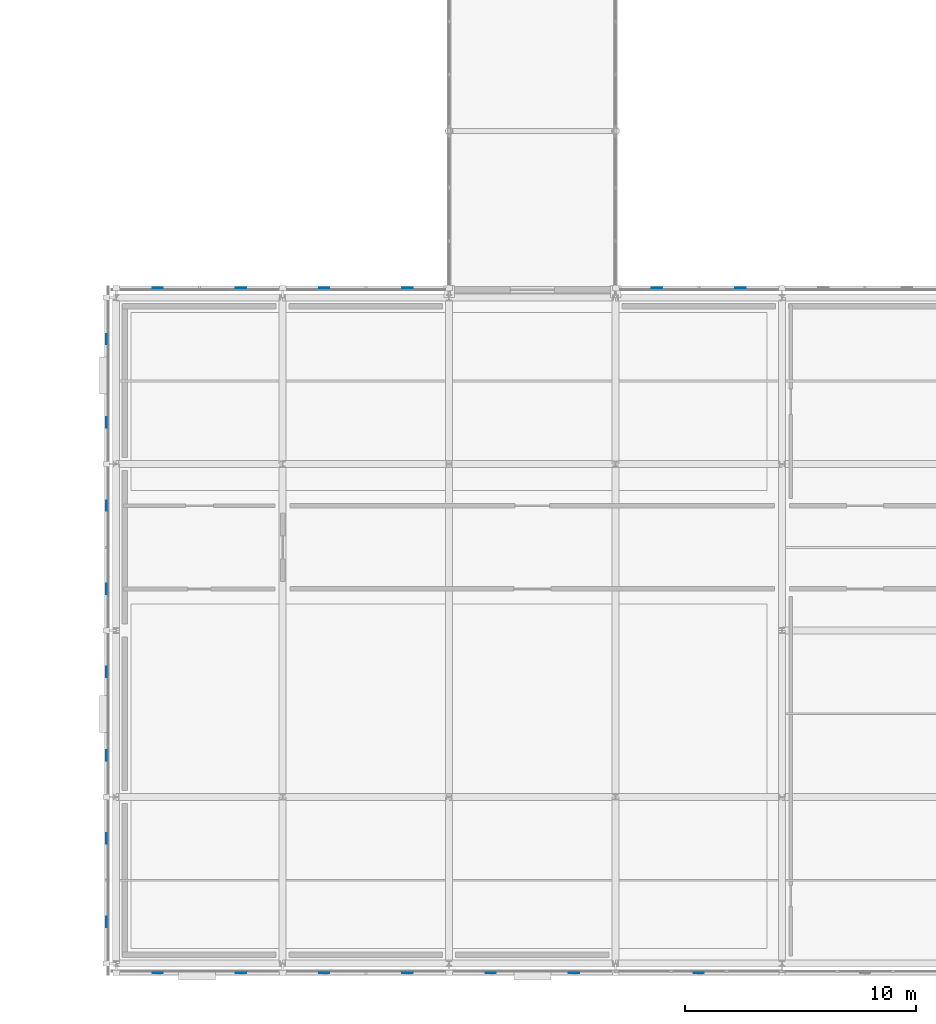
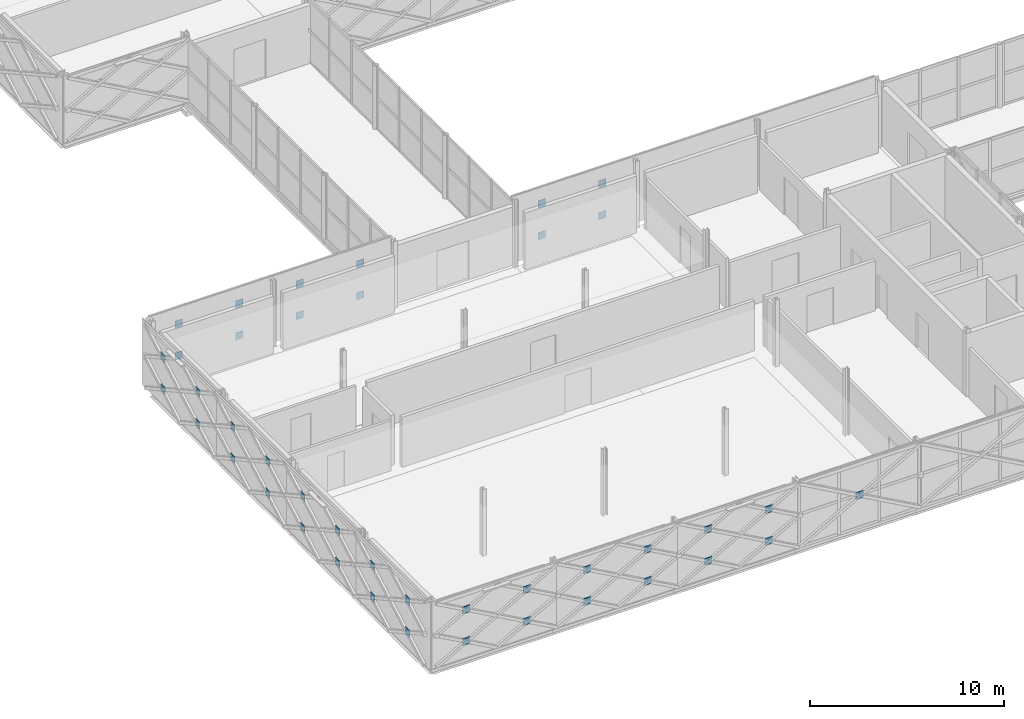
# One storey, part 83 of 126: 41 plates.
"""IFC4 building model written with IfcOpenShell, lengths in metres."""

from ifc_helpers import new_model, si_unit, direction, frame, origin, origin_2d, place, context, subcontext, project, spatial, rectangle, extrude, material, layer, layer_set, type_object, element, save


model = new_model("IFC4")

# Units and contexts
model_context = context("Model", 3, precision=1e-05, world=origin(), true_north=direction((0.0, 1.0)))
body_context = subcontext(model_context, "Body", "Model", "MODEL_VIEW")
ifc_project = project(units=[si_unit("LENGTHUNIT", "METRE"), si_unit("AREAUNIT", "SQUARE_METRE"), si_unit("VOLUMEUNIT", "CUBIC_METRE"), si_unit("PLANEANGLEUNIT", "RADIAN"), si_unit("MASSUNIT", "GRAM", prefix="KILO")], contexts=[model_context])

# Site, building, storey
site_placement = place(None, origin())
site = spatial("IfcSite", under=ifc_project, at=site_placement, CompositionType="ELEMENT")
building_placement = place(site_placement, origin())
building = spatial("IfcBuilding", under=site, at=building_placement, Name="Zlatovets Crest Museum", CompositionType="ELEMENT")
storey_placement = place(building_placement, frame((0.0, 0.0, 8.699951171875)))
storey = spatial("IfcBuildingStorey", under=building, at=storey_placement, Name="L02", CompositionType="ELEMENT", Elevation=8.699951171875)

# Plates
ifc_material = material(Name="Structural steel S355J2", Category="steel")
ifc_layer = layer(ifc_material, 0.02001953125)
ifc_layer_set = layer_set([ifc_layer], Name="Structural steel S355J2")
plate_type = type_object("IfcPlateType", Name="Gusset_GP-04", PredefinedType="USERDEFINED", material=ifc_layer_set)
for number, where, z_axis, x_axis, name in (
    (1, (1.800048828125, -0.419921875, 0.875), (0.0, 0.0, 1.0), (1.0, 0.0, 0.0), "X-Brace Crossing Node Gusset Plate GP-04"),
    (2, (5.39990234375, -0.419921875, 0.875), (0.0, 0.0, 1.0), (1.0, 0.0, 0.0), "X-Brace Crossing Node Gusset Plate GP-04"),
    (3, (1.800048828125, -0.419921875, 2.875), (0.0, 0.0, 1.0), (1.0, 0.0, 0.0), "X-Brace Crossing Node Gusset Plate GP-04"),
    (4, (5.39990234375, -0.419921875, 2.875), (0.0, 0.0, 1.0), (1.0, 0.0, 0.0), "X-Brace Crossing Node Gusset Plate GP-04"),
    (5, (9.0, -0.419921875, 0.875), (0.0, 0.0, 1.0), (1.0, 0.0, 0.0), "X-Brace Crossing Node Gusset Plate GP-04"),
    (6, (12.60009765625, -0.419921875, 0.875), (0.0, 0.0, 1.0), (1.0, 0.0, 0.0), "X-Brace Crossing Node Gusset Plate GP-04"),
    (7, (9.0, -0.419921875, 2.875), (0.0, 0.0, 1.0), (1.0, 0.0, 0.0), "X-Brace Crossing Node Gusset Plate GP-04"),
    (8, (12.60009765625, -0.419921875, 2.875), (0.0, 0.0, 1.0), (1.0, 0.0, 0.0), "X-Brace Crossing Node Gusset Plate GP-04"),
    (9, (16.199951171875, -0.419921875, 0.875), (0.0, 0.0, 1.0), (1.0, 0.0, 0.0), "X-Brace Crossing Node Gusset Plate GP-04"),
    (10, (19.800048828125, -0.419921875, 0.875), (0.0, 0.0, 1.0), (1.0, 0.0, 0.0), "X-Brace Crossing Node Gusset Plate GP-04"),
    (11, (16.199951171875, -0.419921875, 2.875), (0.0, 0.0, 1.0), (1.0, 0.0, 0.0), "X-Brace Crossing Node Gusset Plate GP-04"),
    (12, (19.800048828125, -0.419921875, 2.875), (0.0, 0.0, 1.0), (1.0, 0.0, 0.0), "X-Brace Crossing Node Gusset Plate GP-04"),
    (13, (25.199951171875, -0.419921875, 1.875), (0.0, 0.0, 1.0), (1.0, 0.0, 0.0), "X-Brace Crossing Node Gusset Plate GP-04"),
    (14, (27.0, 29.219970703125, 0.875), (0.0, 0.0, 1.0), (1.0, 0.0, 0.0), "X-Brace Crossing Node Gusset Plate GP-04"),
    (15, (23.39990234375, 29.219970703125, 0.875), (0.0, 0.0, 1.0), (1.0, 0.0, 0.0), "X-Brace Crossing Node Gusset Plate GP-04"),
    (16, (27.0, 29.219970703125, 2.875), (0.0, 0.0, 1.0), (1.0, 0.0, 0.0), "X-Brace Crossing Node Gusset Plate GP-04"),
    (17, (23.39990234375, 29.219970703125, 2.875), (0.0, 0.0, 1.0), (1.0, 0.0, 0.0), "X-Brace Crossing Node Gusset Plate GP-04"),
    (18, (12.60009765625, 29.219970703125, 0.875), (0.0, 0.0, 1.0), (1.0, 0.0, 0.0), "X-Brace Crossing Node Gusset Plate GP-04"),
    (19, (9.0, 29.219970703125, 0.875), (0.0, 0.0, 1.0), (1.0, 0.0, 0.0), "X-Brace Crossing Node Gusset Plate GP-04"),
    (20, (12.60009765625, 29.219970703125, 2.875), (0.0, 0.0, 1.0), (1.0, 0.0, 0.0), "X-Brace Crossing Node Gusset Plate GP-04"),
    (21, (9.0, 29.219970703125, 2.875), (0.0, 0.0, 1.0), (1.0, 0.0, 0.0), "X-Brace Crossing Node Gusset Plate GP-04"),
    (22, (5.39990234375, 29.219970703125, 0.875), (0.0, 0.0, 1.0), (1.0, 0.0, 0.0), "X-Brace Crossing Node Gusset Plate GP-04"),
    (23, (1.800048828125, 29.219970703125, 0.875), (0.0, 0.0, 1.0), (1.0, 0.0, 0.0), "X-Brace Crossing Node Gusset Plate GP-04"),
    (24, (5.39990234375, 29.219970703125, 2.875), (0.0, 0.0, 1.0), (1.0, 0.0, 0.0), "X-Brace Crossing Node Gusset Plate GP-04"),
    (25, (1.800048828125, 29.219970703125, 2.875), (0.0, 0.0, 1.0), (1.0, 0.0, 0.0), "X-Brace Crossing Node Gusset Plate GP-04"),
):
    element("IfcPlate", number, at=place(storey_placement, frame(where, z_axis=z_axis, x_axis=x_axis)), inside=storey, type_object=plate_type, Name=name, ObjectType="GUSSET", PredefinedType="USERDEFINED", context=body_context, shape_type="SweptSolid", body=[
        extrude(rectangle(XDim=0.449951171875, YDim=0.02001953125, at=origin_2d()), origin(), (0.0, 0.0, 1.0), 0.449951171875),
    ])
for number, where, z_axis, x_axis, name in (
    (26, (-0.419921875, 27.0, 0.875), (0.0, 0.0, 1.0), (1.0, 0.0, 0.0), "X-Brace Crossing Node Gusset Plate GP-04"),
    (27, (-0.419921875, 23.39990234375, 0.875), (0.0, 0.0, 1.0), (1.0, 0.0, 0.0), "X-Brace Crossing Node Gusset Plate GP-04"),
    (28, (-0.419921875, 27.0, 2.875), (0.0, 0.0, 1.0), (1.0, 0.0, 0.0), "X-Brace Crossing Node Gusset Plate GP-04"),
    (29, (-0.419921875, 23.39990234375, 2.875), (0.0, 0.0, 1.0), (1.0, 0.0, 0.0), "X-Brace Crossing Node Gusset Plate GP-04"),
    (30, (-0.419921875, 19.800048828125, 0.875), (0.0, 0.0, 1.0), (1.0, 0.0, 0.0), "X-Brace Crossing Node Gusset Plate GP-04"),
    (31, (-0.419921875, 16.199951171875, 0.875), (0.0, 0.0, 1.0), (1.0, 0.0, 0.0), "X-Brace Crossing Node Gusset Plate GP-04"),
    (32, (-0.419921875, 19.800048828125, 2.875), (0.0, 0.0, 1.0), (1.0, 0.0, 0.0), "X-Brace Crossing Node Gusset Plate GP-04"),
    (33, (-0.419921875, 16.199951171875, 2.875), (0.0, 0.0, 1.0), (1.0, 0.0, 0.0), "X-Brace Crossing Node Gusset Plate GP-04"),
    (34, (-0.419921875, 12.60009765625, 0.875), (0.0, 0.0, 1.0), (1.0, 0.0, 0.0), "X-Brace Crossing Node Gusset Plate GP-04"),
    (35, (-0.419921875, 9.0, 0.875), (0.0, 0.0, 1.0), (1.0, 0.0, 0.0), "X-Brace Crossing Node Gusset Plate GP-04"),
    (36, (-0.419921875, 12.60009765625, 2.875), (0.0, 0.0, 1.0), (1.0, 0.0, 0.0), "X-Brace Crossing Node Gusset Plate GP-04"),
    (37, (-0.419921875, 9.0, 2.875), (0.0, 0.0, 1.0), (1.0, 0.0, 0.0), "X-Brace Crossing Node Gusset Plate GP-04"),
    (38, (-0.419921875, 5.39990234375, 0.875), (0.0, 0.0, 1.0), (1.0, 0.0, 0.0), "X-Brace Crossing Node Gusset Plate GP-04"),
    (39, (-0.419921875, 1.800048828125, 0.875), (0.0, 0.0, 1.0), (1.0, 0.0, 0.0), "X-Brace Crossing Node Gusset Plate GP-04"),
    (40, (-0.419921875, 5.39990234375, 2.875), (0.0, 0.0, 1.0), (1.0, 0.0, 0.0), "X-Brace Crossing Node Gusset Plate GP-04"),
    (41, (-0.419921875, 1.800048828125, 2.875), (0.0, 0.0, 1.0), (1.0, 0.0, 0.0), "X-Brace Crossing Node Gusset Plate GP-04"),
):
    element("IfcPlate", number, at=place(storey_placement, frame(where, z_axis=z_axis, x_axis=x_axis)), inside=storey, type_object=plate_type, Name=name, ObjectType="GUSSET", PredefinedType="USERDEFINED", context=body_context, shape_type="SweptSolid", body=[
        extrude(rectangle(XDim=0.02001953125, YDim=0.449951171875, at=origin_2d()), origin(), (0.0, 0.0, 1.0), 0.449951171875),
    ])

save(model, "model.ifc")
